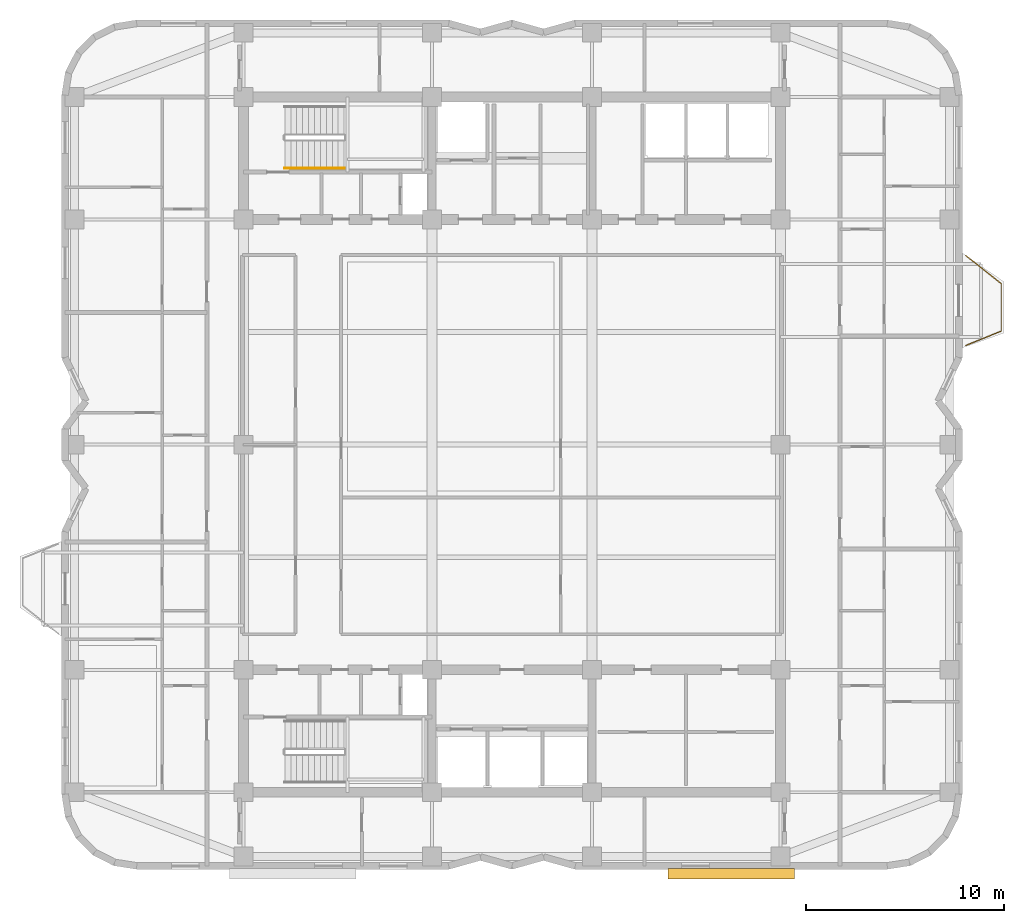
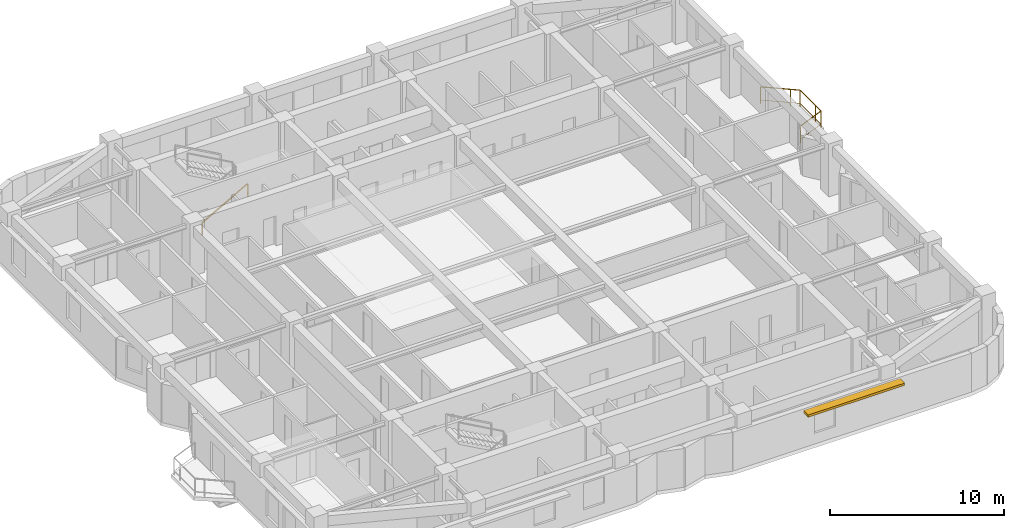
# One storey, part 9 of 10: 2 railings, 1 shading device.
"""IFC4 building model written with IfcOpenShell, lengths in metres."""

import ifcopenshell
import ifcopenshell.guid

model = None  # the IFC model being written
_history = None  # IfcOwnerHistory: only IFC2X3 demands one
_inside = {}  # id of a spatial element -> (the spatial element, [elements in it])
_under = {}  # id of a project, library or spatial element -> (it, [spatial elements below it])
_declared = {}  # id of a project -> (the project, [libraries it declares])
_typed = {}  # id of a type object -> (the type object, [elements of that type])
_made_of = {}  # id of a material, layer set ... -> (it, [elements and type objects made of it])


def new_model(schema):
    """Start an empty IFC model of exactly this schema.

    Asked for "IFC4X3", IfcOpenShell would pick the latest addendum, in which some entities
    have other attributes; the version numbers below select the first issue.
    IFC2X3 requires an IfcOwnerHistory on every rooted entity: one is made here for all.
    """
    global model, _history
    if schema == "IFC4X3":
        model = ifcopenshell.file(schema_version=(4, 3, 0, 0))
    else:
        model = ifcopenshell.file(schema=schema)
    _inside.clear()
    _under.clear()
    _declared.clear()
    _typed.clear()
    _made_of.clear()
    _history = None
    if model.schema == "IFC2X3":
        org = make("IfcOrganization", Name="unknown")
        user = make(
            "IfcPersonAndOrganization",
            ThePerson=make("IfcPerson", FamilyName="unknown"),
            TheOrganization=org,
        )
        app = make(
            "IfcApplication",
            ApplicationDeveloper=org,
            Version="unknown",
            ApplicationFullName="unknown",
            ApplicationIdentifier="unknown",
        )
        _history = make(
            "IfcOwnerHistory",
            OwningUser=user,
            OwningApplication=app,
            ChangeAction="ADDED",
            CreationDate=0,
        )
    return model


def make(cls, **values):
    """One entity of the class cls with the attributes given. An attribute that is None is left unset."""
    return model.create_entity(
        cls, **{name: value for name, value in values.items() if value is not None}
    )


def rooted(cls, **values):
    """An entity with a GlobalId (a new one), such as an element, a storey or a relation."""
    return make(cls, GlobalId=ifcopenshell.guid.new(), OwnerHistory=_history, **values)


def si_unit(unit_type, name, prefix=None):
    """IfcSIUnit, for example si_unit("LENGTHUNIT", "METRE", prefix="MILLI")."""
    return make("IfcSIUnit", UnitType=unit_type, Prefix=prefix, Name=name)


def assignment(units):
    """IfcUnitAssignment: the units of a project."""
    return None if units is None else make("IfcUnitAssignment", Units=units)


def point(xyz):
    """IfcCartesianPoint."""
    return None if xyz is None else make("IfcCartesianPoint", Coordinates=xyz)


def direction(xyz):
    """IfcDirection."""
    return None if xyz is None else make("IfcDirection", DirectionRatios=xyz)


def frame(location, z_axis=None, x_axis=None):
    """IfcAxis2Placement3D, a coordinate frame: its origin and axes. An axis left out is left unset."""
    return make(
        "IfcAxis2Placement3D",
        Location=point(location),
        Axis=direction(z_axis),
        RefDirection=direction(x_axis),
    )


def frame_2d(location, x_axis=None):
    """IfcAxis2Placement2D, a coordinate frame in the plane: its origin and x axis."""
    return make(
        "IfcAxis2Placement2D", Location=point(location), RefDirection=direction(x_axis)
    )


def origin():
    """The frame at (0, 0, 0) with its axes left unset."""
    return frame((0.0, 0.0, 0.0))


def origin_2d():
    """The frame at (0, 0) in the plane with its x axis left unset."""
    return frame_2d((0.0, 0.0))


def place(relative_to, where):
    """IfcLocalPlacement: puts the frame where relative to a parent placement (None: the world)."""
    return make(
        "IfcLocalPlacement", PlacementRelTo=relative_to, RelativePlacement=where
    )


def context(
    kind, dimensions, precision=None, world=None, true_north=None, identifier=None
):
    """IfcGeometricRepresentationContext, for example the 3D "Model" context."""
    return make(
        "IfcGeometricRepresentationContext",
        ContextIdentifier=identifier,
        ContextType=kind,
        CoordinateSpaceDimension=dimensions,
        Precision=precision,
        WorldCoordinateSystem=world,
        TrueNorth=true_north,
    )


def subcontext(parent, identifier, kind, view, scale=None):
    """IfcGeometricRepresentationSubContext, for example "Body" below "Model"."""
    return make(
        "IfcGeometricRepresentationSubContext",
        ContextIdentifier=identifier,
        ContextType=kind,
        ParentContext=parent,
        TargetScale=scale,
        TargetView=view,
    )


def project(units=None, contexts=None):
    """IfcProject with its units and contexts."""
    return rooted(
        "IfcProject",
        Name="project",
        RepresentationContexts=contexts,
        UnitsInContext=assignment(units),
    )


def spatial(cls, under=None, at=None, **own):
    """A site, building, storey or space (cls), placed at a placement, below another one or the project."""
    s = rooted(cls, ObjectPlacement=at, **own)
    if under is not None:
        _under.setdefault(under.id(), (under, []))[1].append(s)
    return s


def profile(cls, at=None, kind="AREA", **sizes):
    """A parametric profile (cls). Its sizes go by their IFC names, for example OverallWidth=200.0."""
    return make(cls, ProfileType=kind, Position=at, **sizes)


def rectangle(**sizes):
    """IfcRectangleProfileDef."""
    return profile("IfcRectangleProfileDef", **sizes)


def extrude(swept, where, along, depth):
    """IfcExtrudedAreaSolid: the profile swept, set in the frame where, extruded along a direction by depth."""
    return make(
        "IfcExtrudedAreaSolid",
        SweptArea=swept,
        Position=where,
        ExtrudedDirection=direction(along),
        Depth=depth,
    )


def shape(context_of_items, identifier, shape_type, items):
    """IfcShapeRepresentation: the items that make up one representation, for example the "Body"."""
    return make(
        "IfcShapeRepresentation",
        ContextOfItems=context_of_items,
        RepresentationIdentifier=identifier,
        RepresentationType=shape_type,
        Items=items,
    )


def material(Name=None, Category=None):
    """IfcMaterial."""
    return make("IfcMaterial", Name=Name, Category=Category)


def layer(
    of_material, thickness, ventilated=None, Name=None, Category=None, Priority=None
):
    """IfcMaterialLayer: one layer of a wall or slab, of a material (None: an air gap)."""
    return make(
        "IfcMaterialLayer",
        Material=of_material,
        LayerThickness=thickness,
        IsVentilated=ventilated,
        Name=Name,
        Category=Category,
        Priority=Priority,
    )


def layer_set(layers, Name=None):
    """IfcMaterialLayerSet."""
    return make("IfcMaterialLayerSet", MaterialLayers=layers, LayerSetName=Name)


def made_of(thing, what):
    """Note that an element or type object is made of a material, layer set ...; save() writes the relation."""
    if what is not None:
        _made_of.setdefault(what.id(), (what, []))[1].append(thing)
    return thing


def type_object(cls, material=None, **own):
    """A type object (cls), such as IfcWallType, which elements share."""
    return made_of(rooted(cls, **own), material)


def element(
    cls,
    number,
    at=None,
    inside=None,
    cuts=None,
    type_object=None,
    material=None,
    context=None,
    identifier="Body",
    shape_type=None,
    held_by="IfcProductDefinitionShape",
    body=None,
    shapes=None,
    **own,
):
    """One element of the class cls, such as IfcWall. Its Tag is "e" and its number.

    at: its placement. inside: the storey or other place that contains it. cuts: it is an
    opening in that element (IfcRelVoidsElement). A single representation is given by context,
    identifier, shape_type and body (its items); several are given by shapes. held_by: the class
    of the entity that holds the representations. save() writes the other relations.
    """
    e = rooted(cls, Tag="e%d" % number, ObjectPlacement=at, **own)
    if body is not None:
        shapes = [shape(context, identifier, shape_type, body)]
    if shapes is not None:
        e.Representation = make(held_by, Representations=shapes)
    if inside is not None:
        _inside.setdefault(inside.id(), (inside, []))[1].append(e)
    if cuts is not None:
        rooted(
            "IfcRelVoidsElement", RelatingBuildingElement=cuts, RelatedOpeningElement=e
        )
    if type_object is not None:
        _typed.setdefault(type_object.id(), (type_object, []))[1].append(e)
    return made_of(e, material)


def aggregate(whole, parts):
    """IfcRelAggregates: a whole, such as a stair, and the parts it consists of."""
    return rooted("IfcRelAggregates", RelatingObject=whole, RelatedObjects=parts)


def save(model, path):
    """Write the relations noted so far, then the file.

    IfcRelAggregates (storeys below a building ...), IfcRelContainedInSpatialStructure (elements
    in a storey), IfcRelDefinesByType, IfcRelAssociatesMaterial and IfcRelDeclares: one each for
    every whole, place, type object, material and project.
    """
    for whole, parts in _under.values():
        aggregate(whole, parts)
    for where, things in _inside.values():
        rooted(
            "IfcRelContainedInSpatialStructure",
            RelatedElements=things,
            RelatingStructure=where,
        )
    for kind, things in _typed.values():
        rooted("IfcRelDefinesByType", RelatedObjects=things, RelatingType=kind)
    for what, things in _made_of.values():
        rooted("IfcRelAssociatesMaterial", RelatedObjects=things, RelatingMaterial=what)
    for by, libraries in _declared.values():
        rooted("IfcRelDeclares", RelatingContext=by, RelatedDefinitions=libraries)
    model.write(path)


model = new_model("IFC4")

# Units and contexts
model_context = context("Model", 3, precision=1e-05, world=origin(), true_north=direction((0.0, 1.0)))
body_context = subcontext(model_context, "Body", "Model", "MODEL_VIEW")
ifc_project = project(units=[si_unit("LENGTHUNIT", "METRE"), si_unit("AREAUNIT", "SQUARE_METRE"), si_unit("VOLUMEUNIT", "CUBIC_METRE"), si_unit("PLANEANGLEUNIT", "RADIAN"), si_unit("MASSUNIT", "GRAM", prefix="KILO")], contexts=[model_context])

# Site, building, storey
site_placement = place(None, origin())
site = spatial("IfcSite", under=ifc_project, at=site_placement, CompositionType="ELEMENT")
building_placement = place(site_placement, origin())
building = spatial("IfcBuilding", under=site, at=building_placement, Name="Svetorya Sky Lyceum", CompositionType="ELEMENT")
storey_placement = place(building_placement, frame((0.0, 0.0, 188.5)))
storey = spatial("IfcBuildingStorey", under=building, at=storey_placement, Name="L47", CompositionType="ELEMENT", Elevation=188.5)

# Railings
ifc_material_1 = material(Name="Laminated safety glass and stainless AISI 316", Category="glass")
railing_type_1 = type_object("IfcRailingType", Name="RL-BAL-1200", PredefinedType="BALUSTRADE", material=ifc_material_1)
railing_1_placement = place(storey_placement, frame((62.169921875, 37.780029296875, 0.0)))
element("IfcRailing", 1, at=railing_1_placement, inside=storey, type_object=railing_type_1, Name="L47 Balcony Balustrade BAL-E1", PredefinedType="BALUSTRADE", context=body_context, shape_type="SweptSolid", body=[
    extrude(rectangle(XDim=0.048095703125, YDim=0.048095703125, at=origin_2d()), frame((0.0, 0.0, 1.17578125), z_axis=(0.783008919264, -0.622010476079, 0.0), x_axis=(0.622010476079, 0.783008919264, 0.0)), (0.0, 0.0, 1.0), 2.298828125),
    extrude(rectangle(XDim=0.02392578125, YDim=0.02392578125, at=origin_2d()), frame((0.0, 0.0, 0.25), z_axis=(0.783008919264, -0.622010476079, 0.0), x_axis=(0.622010476079, 0.783008919264, 0.0)), (0.0, 0.0, 1.0), 2.298828125),
    extrude(rectangle(XDim=0.048095703125, YDim=0.048095703125, at=origin_2d()), frame((1.800048828125, -1.429931640625, 1.17578125), z_axis=(0.0, -1.0, 0.0), x_axis=(1.0, 0.0, 0.0)), (0.0, 0.0, 1.0), 2.400146484375),
    extrude(rectangle(XDim=0.02392578125, YDim=0.02392578125, at=origin_2d()), frame((1.800048828125, -1.429931640625, 0.25), z_axis=(0.0, -1.0, 0.0), x_axis=(1.0, 0.0, 0.0)), (0.0, 0.0, 1.0), 2.400146484375),
    extrude(rectangle(XDim=0.048095703125, YDim=0.048095703125, at=origin_2d()), frame((1.800048828125, -3.830078125, 1.17578125), z_axis=(-0.926697865975, -0.375807218129, 0.0), x_axis=(0.375807218129, -0.926697865975, 0.0)), (0.0, 0.0, 1.0), 1.9423828125),
    extrude(rectangle(XDim=0.02392578125, YDim=0.02392578125, at=origin_2d()), frame((1.800048828125, -3.830078125, 0.25), z_axis=(-0.926697865975, -0.375807218129, 0.0), x_axis=(0.375807218129, -0.926697865975, 0.0)), (0.0, 0.0, 1.0), 1.9423828125),
    extrude(rectangle(XDim=0.0419921875, YDim=0.0419921875, at=origin_2d()), origin(), (0.0, 0.0, 1.0), 1.15185546875),
    extrude(rectangle(XDim=0.0419921875, YDim=0.0419921875, at=origin_2d()), frame((1.370361328125, -1.088623046875, 0.0)), (0.0, 0.0, 1.0), 1.15185546875),
    extrude(rectangle(XDim=0.0419921875, YDim=0.0419921875, at=origin_2d()), frame((1.800048828125, -1.429931640625, 0.0)), (0.0, 0.0, 1.0), 1.15185546875),
    extrude(rectangle(XDim=0.0419921875, YDim=0.0419921875, at=origin_2d()), frame((1.800048828125, -3.179931640625, 0.0)), (0.0, 0.0, 1.0), 1.15185546875),
    extrude(rectangle(XDim=0.0419921875, YDim=0.0419921875, at=origin_2d()), frame((1.800048828125, -3.830078125, 0.0)), (0.0, 0.0, 1.0), 1.15185546875),
    extrude(rectangle(XDim=0.0419921875, YDim=0.0419921875, at=origin_2d()), frame((0.0, -4.56005859375, 0.0)), (0.0, 0.0, 1.0), 1.15185546875),
])
ifc_material_2 = material(Name="Brushed stainless AISI 304 stair handrail")
railing_type_2 = type_object("IfcRailingType", Name="RL-STR-HAND-920", PredefinedType="HANDRAIL", material=ifc_material_2)
railing_2_placement = place(storey_placement, frame((27.699951171875, 42.199951171875, 0.168212890625)))
element("IfcRailing", 2, at=railing_2_placement, inside=storey, type_object=railing_type_2, Name="L47 ST-N stair handrail 1", PredefinedType="HANDRAIL", context=body_context, shape_type="SweptSolid", body=[
    extrude(rectangle(XDim=0.048095703125, YDim=0.048095703125, at=origin_2d()), frame((0.0, 0.0, 0.8759765625), z_axis=(0.872272294576, 0.0, 0.489020494575), x_axis=(0.0, 1.0, 0.0)), (0.0, 0.0, 1.0), 3.439208984375),
    extrude(rectangle(XDim=0.0419921875, YDim=0.0419921875, at=origin_2d()), origin(), (0.0, 0.0, 1.0), 0.851806640625),
    extrude(rectangle(XDim=0.0419921875, YDim=0.0419921875, at=origin_2d()), frame((3.0, 0.0, 1.681884765625)), (0.0, 0.0, 1.0), 0.851806640625),
])

# Shading device
ifc_material_3 = material(Name="Champagne-anodized extruded aluminium sunshade", Category="aluminium")
ifc_layer = layer(ifc_material_3, 0.159912109375)
ifc_layer_set = layer_set([ifc_layer], Name="Champagne-anodized extruded aluminium sunshade")
shading_device_type = type_object("IfcShadingDeviceType", Name="SHD-LVR-540", PredefinedType="AWNING", material=ifc_layer_set)
shading_device_placement = place(storey_placement, frame((50.300048828125, 6.47998046875, 2.419921875), z_axis=(0.0, 0.0, 1.0), x_axis=(1.0, 0.0, 0.0)))
element("IfcShadingDevice", 3, at=shading_device_placement, inside=storey, type_object=shading_device_type, Name="L47 Solar Brise-Soleil SHD-1.11M", PredefinedType="AWNING", context=body_context, shape_type="SweptSolid", body=[
    extrude(rectangle(XDim=6.39990234375, YDim=0.5400390625, at=origin_2d()), origin(), (0.0, 0.0, 1.0), 0.159912109375),
])

save(model, "model.ifc")
